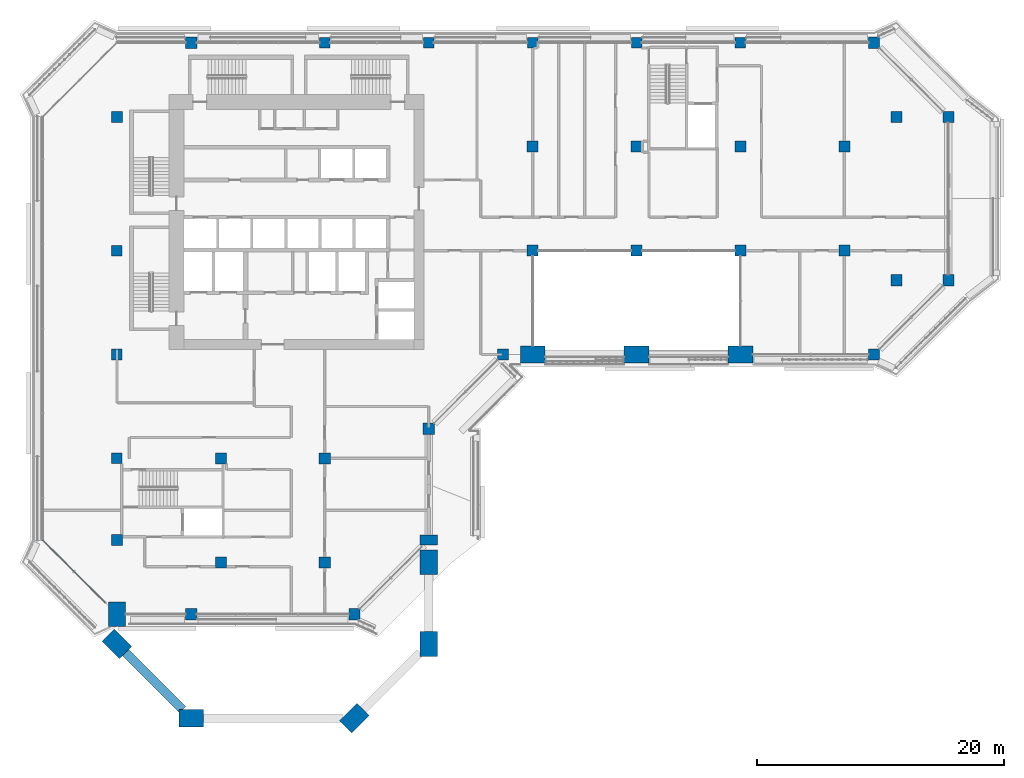
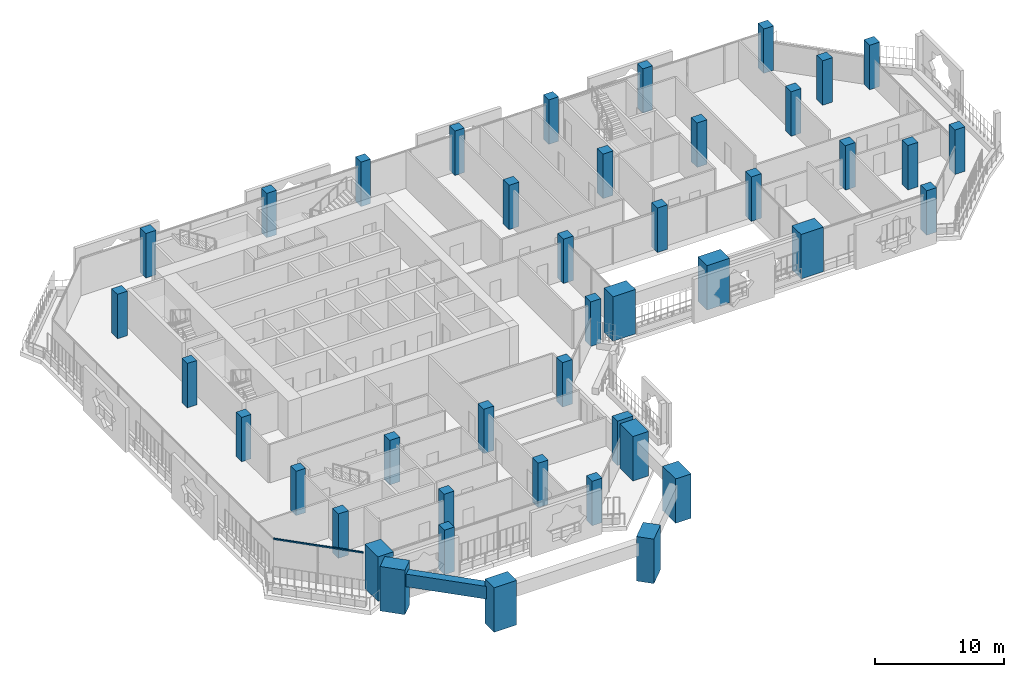
# One storey, part 1 of 23: 43 columns, 1 beam, 1 member, 1 element without a shape of its own.
"""IFC4 building model written with IfcOpenShell, lengths in metres."""

import ifcopenshell
import ifcopenshell.guid

model = None  # the IFC model being written
_history = None  # IfcOwnerHistory: only IFC2X3 demands one
_inside = {}  # id of a spatial element -> (the spatial element, [elements in it])
_under = {}  # id of a project, library or spatial element -> (it, [spatial elements below it])
_declared = {}  # id of a project -> (the project, [libraries it declares])
_typed = {}  # id of a type object -> (the type object, [elements of that type])
_made_of = {}  # id of a material, layer set ... -> (it, [elements and type objects made of it])


def new_model(schema):
    """Start an empty IFC model of exactly this schema.

    Asked for "IFC4X3", IfcOpenShell would pick the latest addendum, in which some entities
    have other attributes; the version numbers below select the first issue.
    IFC2X3 requires an IfcOwnerHistory on every rooted entity: one is made here for all.
    """
    global model, _history
    if schema == "IFC4X3":
        model = ifcopenshell.file(schema_version=(4, 3, 0, 0))
    else:
        model = ifcopenshell.file(schema=schema)
    _inside.clear()
    _under.clear()
    _declared.clear()
    _typed.clear()
    _made_of.clear()
    _history = None
    if model.schema == "IFC2X3":
        org = make("IfcOrganization", Name="unknown")
        user = make(
            "IfcPersonAndOrganization",
            ThePerson=make("IfcPerson", FamilyName="unknown"),
            TheOrganization=org,
        )
        app = make(
            "IfcApplication",
            ApplicationDeveloper=org,
            Version="unknown",
            ApplicationFullName="unknown",
            ApplicationIdentifier="unknown",
        )
        _history = make(
            "IfcOwnerHistory",
            OwningUser=user,
            OwningApplication=app,
            ChangeAction="ADDED",
            CreationDate=0,
        )
    return model


def make(cls, **values):
    """One entity of the class cls with the attributes given. An attribute that is None is left unset."""
    return model.create_entity(
        cls, **{name: value for name, value in values.items() if value is not None}
    )


def rooted(cls, **values):
    """An entity with a GlobalId (a new one), such as an element, a storey or a relation."""
    return make(cls, GlobalId=ifcopenshell.guid.new(), OwnerHistory=_history, **values)


def si_unit(unit_type, name, prefix=None):
    """IfcSIUnit, for example si_unit("LENGTHUNIT", "METRE", prefix="MILLI")."""
    return make("IfcSIUnit", UnitType=unit_type, Prefix=prefix, Name=name)


def assignment(units):
    """IfcUnitAssignment: the units of a project."""
    return None if units is None else make("IfcUnitAssignment", Units=units)


def point(xyz):
    """IfcCartesianPoint."""
    return None if xyz is None else make("IfcCartesianPoint", Coordinates=xyz)


def direction(xyz):
    """IfcDirection."""
    return None if xyz is None else make("IfcDirection", DirectionRatios=xyz)


def frame(location, z_axis=None, x_axis=None):
    """IfcAxis2Placement3D, a coordinate frame: its origin and axes. An axis left out is left unset."""
    return make(
        "IfcAxis2Placement3D",
        Location=point(location),
        Axis=direction(z_axis),
        RefDirection=direction(x_axis),
    )


def frame_2d(location, x_axis=None):
    """IfcAxis2Placement2D, a coordinate frame in the plane: its origin and x axis."""
    return make(
        "IfcAxis2Placement2D", Location=point(location), RefDirection=direction(x_axis)
    )


def origin():
    """The frame at (0, 0, 0) with its axes left unset."""
    return frame((0.0, 0.0, 0.0))


def origin_2d():
    """The frame at (0, 0) in the plane with its x axis left unset."""
    return frame_2d((0.0, 0.0))


def place(relative_to, where):
    """IfcLocalPlacement: puts the frame where relative to a parent placement (None: the world)."""
    return make(
        "IfcLocalPlacement", PlacementRelTo=relative_to, RelativePlacement=where
    )


def context(
    kind, dimensions, precision=None, world=None, true_north=None, identifier=None
):
    """IfcGeometricRepresentationContext, for example the 3D "Model" context."""
    return make(
        "IfcGeometricRepresentationContext",
        ContextIdentifier=identifier,
        ContextType=kind,
        CoordinateSpaceDimension=dimensions,
        Precision=precision,
        WorldCoordinateSystem=world,
        TrueNorth=true_north,
    )


def subcontext(parent, identifier, kind, view, scale=None):
    """IfcGeometricRepresentationSubContext, for example "Body" below "Model"."""
    return make(
        "IfcGeometricRepresentationSubContext",
        ContextIdentifier=identifier,
        ContextType=kind,
        ParentContext=parent,
        TargetScale=scale,
        TargetView=view,
    )


def project(units=None, contexts=None):
    """IfcProject with its units and contexts."""
    return rooted(
        "IfcProject",
        Name="project",
        RepresentationContexts=contexts,
        UnitsInContext=assignment(units),
    )


def spatial(cls, under=None, at=None, **own):
    """A site, building, storey or space (cls), placed at a placement, below another one or the project."""
    s = rooted(cls, ObjectPlacement=at, **own)
    if under is not None:
        _under.setdefault(under.id(), (under, []))[1].append(s)
    return s


def profile(cls, at=None, kind="AREA", **sizes):
    """A parametric profile (cls). Its sizes go by their IFC names, for example OverallWidth=200.0."""
    return make(cls, ProfileType=kind, Position=at, **sizes)


def rectangle(**sizes):
    """IfcRectangleProfileDef."""
    return profile("IfcRectangleProfileDef", **sizes)


def extrude(swept, where, along, depth):
    """IfcExtrudedAreaSolid: the profile swept, set in the frame where, extruded along a direction by depth."""
    return make(
        "IfcExtrudedAreaSolid",
        SweptArea=swept,
        Position=where,
        ExtrudedDirection=direction(along),
        Depth=depth,
    )


def shape(context_of_items, identifier, shape_type, items):
    """IfcShapeRepresentation: the items that make up one representation, for example the "Body"."""
    return make(
        "IfcShapeRepresentation",
        ContextOfItems=context_of_items,
        RepresentationIdentifier=identifier,
        RepresentationType=shape_type,
        Items=items,
    )


def material(Name=None, Category=None):
    """IfcMaterial."""
    return make("IfcMaterial", Name=Name, Category=Category)


def layer(
    of_material, thickness, ventilated=None, Name=None, Category=None, Priority=None
):
    """IfcMaterialLayer: one layer of a wall or slab, of a material (None: an air gap)."""
    return make(
        "IfcMaterialLayer",
        Material=of_material,
        LayerThickness=thickness,
        IsVentilated=ventilated,
        Name=Name,
        Category=Category,
        Priority=Priority,
    )


def layer_set(layers, Name=None):
    """IfcMaterialLayerSet."""
    return make("IfcMaterialLayerSet", MaterialLayers=layers, LayerSetName=Name)


def material_profile(
    of_material, cross_section, Name=None, Category=None, Priority=None
):
    """IfcMaterialProfile: a cross section and its material."""
    return make(
        "IfcMaterialProfile",
        Name=Name,
        Material=of_material,
        Profile=cross_section,
        Priority=Priority,
        Category=Category,
    )


def profile_set(profiles, Name=None, composite=None):
    """IfcMaterialProfileSet."""
    return make(
        "IfcMaterialProfileSet",
        Name=Name,
        MaterialProfiles=profiles,
        CompositeProfile=composite,
    )


def made_of(thing, what):
    """Note that an element or type object is made of a material, layer set ...; save() writes the relation."""
    if what is not None:
        _made_of.setdefault(what.id(), (what, []))[1].append(thing)
    return thing


def type_object(cls, material=None, **own):
    """A type object (cls), such as IfcWallType, which elements share."""
    return made_of(rooted(cls, **own), material)


def element(
    cls,
    number,
    at=None,
    inside=None,
    cuts=None,
    type_object=None,
    material=None,
    context=None,
    identifier="Body",
    shape_type=None,
    held_by="IfcProductDefinitionShape",
    body=None,
    shapes=None,
    **own,
):
    """One element of the class cls, such as IfcWall. Its Tag is "e" and its number.

    at: its placement. inside: the storey or other place that contains it. cuts: it is an
    opening in that element (IfcRelVoidsElement). A single representation is given by context,
    identifier, shape_type and body (its items); several are given by shapes. held_by: the class
    of the entity that holds the representations. save() writes the other relations.
    """
    e = rooted(cls, Tag="e%d" % number, ObjectPlacement=at, **own)
    if body is not None:
        shapes = [shape(context, identifier, shape_type, body)]
    if shapes is not None:
        e.Representation = make(held_by, Representations=shapes)
    if inside is not None:
        _inside.setdefault(inside.id(), (inside, []))[1].append(e)
    if cuts is not None:
        rooted(
            "IfcRelVoidsElement", RelatingBuildingElement=cuts, RelatedOpeningElement=e
        )
    if type_object is not None:
        _typed.setdefault(type_object.id(), (type_object, []))[1].append(e)
    return made_of(e, material)


def aggregate(whole, parts):
    """IfcRelAggregates: a whole, such as a stair, and the parts it consists of."""
    return rooted("IfcRelAggregates", RelatingObject=whole, RelatedObjects=parts)


def save(model, path):
    """Write the relations noted so far, then the file.

    IfcRelAggregates (storeys below a building ...), IfcRelContainedInSpatialStructure (elements
    in a storey), IfcRelDefinesByType, IfcRelAssociatesMaterial and IfcRelDeclares: one each for
    every whole, place, type object, material and project.
    """
    for whole, parts in _under.values():
        aggregate(whole, parts)
    for where, things in _inside.values():
        rooted(
            "IfcRelContainedInSpatialStructure",
            RelatedElements=things,
            RelatingStructure=where,
        )
    for kind, things in _typed.values():
        rooted("IfcRelDefinesByType", RelatedObjects=things, RelatingType=kind)
    for what, things in _made_of.values():
        rooted("IfcRelAssociatesMaterial", RelatedObjects=things, RelatingMaterial=what)
    for by, libraries in _declared.values():
        rooted("IfcRelDeclares", RelatingContext=by, RelatedDefinitions=libraries)
    model.write(path)


model = new_model("IFC4")

# Units and contexts
model_context = context("Model", 3, precision=1e-05, world=origin(), true_north=direction((0.0, 1.0)))
body_context = subcontext(model_context, "Body", "Model", "MODEL_VIEW")
ifc_project = project(units=[si_unit("LENGTHUNIT", "METRE"), si_unit("AREAUNIT", "SQUARE_METRE"), si_unit("VOLUMEUNIT", "CUBIC_METRE"), si_unit("PLANEANGLEUNIT", "RADIAN"), si_unit("MASSUNIT", "GRAM", prefix="KILO")], contexts=[model_context])

# Site, building, storey
site_placement = place(None, origin())
site = spatial("IfcSite", under=ifc_project, at=site_placement, CompositionType="ELEMENT")
building_placement = place(site_placement, origin())
building = spatial("IfcBuilding", under=site, at=building_placement, Name="Kawkab Arch Medical Tower", CompositionType="ELEMENT")
storey_placement = place(building_placement, frame((0.0, 0.0, 222.199951171875)))
storey = spatial("IfcBuildingStorey", under=building, at=storey_placement, Name="L51", CompositionType="ELEMENT", Elevation=222.199951171875)

# Columns
ifc_material_1 = material(Name="Concrete C45/55", Category="concrete")
ifc_material_profile_1 = material_profile(ifc_material_1, rectangle(XDim=2.0, YDim=1.39990234375, at=origin_2d()), Name="RC 2000x1400")
ifc_profile_set_1 = profile_set([ifc_material_profile_1], Name="Concrete C45/55")
column_type_1 = type_object("IfcColumnType", Name="RC 2000x1400 column C45/55", PredefinedType="COLUMN", material=ifc_profile_set_1)
for number, where, z_axis, x_axis, name in (
    (1, (42.0, -25.199951171875, 0.0), (0.0, 0.0, 1.0), (-1.0, 0.0, 0.0), "Column RC 2000x1400"),
    (2, (50.39990234375, -25.199951171875, 0.0), (0.0, 0.0, 1.0), (-1.0, 0.0, 0.0), "Column RC 2000x1400"),
    (3, (25.199951171875, -42.0, 0.0), (0.0, 0.0, 1.0), (0.0, -1.0, 0.0), "Column RC 2000x1400"),
    (4, (25.199951171875, -48.60009765625, 0.0), (0.0, 0.0, 1.0), (0.0, -1.0, 0.0), "Column RC 2000x1400"),
    (5, (19.199951171875, -54.60009765625, 0.0), (0.0, 0.0, 1.0), (-0.707106781187, -0.707106781187, 0.0), "Column RC 2000x1400"),
    (6, (6.0, -54.60009765625, 0.0), (0.0, 0.0, 1.0), (-1.0, 0.0, 0.0), "Column RC 2000x1400"),
    (7, (0.0, -48.60009765625, 0.0), (0.0, 0.0, 1.0), (-0.707106781187, 0.707106781187, 0.0), "Column RC 2000x1400"),
    (8, (0.0, -46.199951171875, 0.0), (0.0, 0.0, 1.0), (0.0, 1.0, 0.0), "Column RC 2000x1400"),
    (9, (33.60009765625, -25.199951171875, 0.0), (0.0, 0.0, 1.0), (-1.0, 0.0, 0.0), "Column RC 2000x1400"),
):
    element("IfcColumn", number, at=place(storey_placement, frame(where, z_axis=z_axis, x_axis=x_axis)), inside=storey, type_object=column_type_1, Name=name, PredefinedType="COLUMN", context=body_context, shape_type="SweptSolid", body=[
        extrude(rectangle(XDim=2.0, YDim=1.39990234375, at=origin_2d()), origin(), (0.0, 0.0, 1.0), 4.199951171875),
    ])
ifc_material_2 = material(Name="Concrete C45/55", Category="concrete")
ifc_material_profile_2 = material_profile(ifc_material_2, rectangle(XDim=0.800048828125, YDim=1.39990234375, at=origin_2d()), Name="RC 800x1400")
ifc_profile_set_2 = profile_set([ifc_material_profile_2], Name="Concrete C45/55")
column_type_2 = type_object("IfcColumnType", Name="RC 800x1400 column C45/55", PredefinedType="COLUMN", material=ifc_profile_set_2)
column_placement = place(storey_placement, frame((25.199951171875, -40.199951171875, 0.0), z_axis=(0.0, 0.0, 1.0), x_axis=(0.0, -1.0, 0.0)))
element("IfcColumn", 10, at=column_placement, inside=storey, type_object=column_type_2, Name="Column RC 800x1400", PredefinedType="COLUMN", context=body_context, shape_type="SweptSolid", body=[
    extrude(rectangle(XDim=0.800048828125, YDim=1.39990234375, at=origin_2d()), origin(), (0.0, 0.0, 1.0), 4.199951171875),
])
ifc_material_3 = material(Name="Concrete C45/55", Category="concrete")
ifc_material_profile_3 = material_profile(ifc_material_3, rectangle(XDim=0.85009765625, YDim=0.85009765625, at=origin_2d()), Name="RC 850x850")
ifc_profile_set_3 = profile_set([ifc_material_profile_3], Name="Concrete C45/55")
column_type_3 = type_object("IfcColumnType", Name="RC 850x850 column C45/55", PredefinedType="COLUMN", material=ifc_profile_set_3)
for number, where, z_axis, x_axis, name in (
    (11, (16.800048828125, 0.0, 0.0), (0.0, 0.0, 1.0), (1.0, 0.0, 0.0), "Column RC 850x850"),
    (12, (25.199951171875, 0.0, 0.0), (0.0, 0.0, 1.0), (1.0, 0.0, 0.0), "Column RC 850x850"),
    (13, (33.60009765625, 0.0, 0.0), (0.0, 0.0, 1.0), (1.0, 0.0, 0.0), "Column RC 850x850"),
    (14, (42.0, 0.0, 0.0), (0.0, 0.0, 1.0), (1.0, 0.0, 0.0), "Column RC 850x850"),
    (15, (50.39990234375, 0.0, 0.0), (0.0, 0.0, 1.0), (1.0, 0.0, 0.0), "Column RC 850x850"),
    (16, (0.0, -16.800048828125, 0.0), (0.0, 0.0, 1.0), (1.0, 0.0, 0.0), "Column RC 850x850"),
    (17, (0.0, -25.199951171875, 0.0), (0.0, 0.0, 1.0), (1.0, 0.0, 0.0), "Column RC 850x850"),
    (18, (0.0, -33.60009765625, 0.0), (0.0, 0.0, 1.0), (1.0, 0.0, 0.0), "Column RC 850x850"),
):
    element("IfcColumn", number, at=place(storey_placement, frame(where, z_axis=z_axis, x_axis=x_axis)), inside=storey, type_object=column_type_3, Name=name, PredefinedType="COLUMN", context=body_context, shape_type="SweptSolid", body=[
        extrude(rectangle(XDim=0.85009765625, YDim=0.85009765625, at=origin_2d()), origin(), (0.0, 0.0, 1.0), 4.199951171875),
    ])
ifc_material_4 = material(Name="Concrete C45/55", Category="concrete")
ifc_material_profile_4 = material_profile(ifc_material_4, rectangle(XDim=0.89990234375, YDim=0.89990234375, at=origin_2d()), Name="RC 900x900")
ifc_profile_set_4 = profile_set([ifc_material_profile_4], Name="Concrete C45/55")
column_type_4 = type_object("IfcColumnType", Name="RC 900x900 column C45/55", PredefinedType="COLUMN", material=ifc_profile_set_4)
for number, where, z_axis, x_axis, name in (
    (19, (6.0, 0.0, 0.0), (0.0, 0.0, 1.0), (1.0, 0.0, 0.0), "Column RC 900x900"),
    (20, (61.199951171875, 0.0, 0.0), (0.0, 0.0, 1.0), (1.0, 0.0, 0.0), "Column RC 900x900"),
    (21, (0.0, -6.0, 0.0), (0.0, 0.0, 1.0), (1.0, 0.0, 0.0), "Column RC 900x900"),
    (22, (63.0, -6.0, 0.0), (0.0, 0.0, 1.0), (1.0, 0.0, 0.0), "Column RC 900x900"),
    (23, (67.199951171875, -6.0, 0.0), (0.0, 0.0, 1.0), (1.0, 0.0, 0.0), "Column RC 900x900"),
    (24, (33.60009765625, -8.39990234375, 0.0), (0.0, 0.0, 1.0), (1.0, 0.0, 0.0), "Column RC 900x900"),
    (25, (42.0, -8.39990234375, 0.0), (0.0, 0.0, 1.0), (1.0, 0.0, 0.0), "Column RC 900x900"),
    (26, (50.39990234375, -8.39990234375, 0.0), (0.0, 0.0, 1.0), (1.0, 0.0, 0.0), "Column RC 900x900"),
    (27, (58.800048828125, -8.39990234375, 0.0), (0.0, 0.0, 1.0), (1.0, 0.0, 0.0), "Column RC 900x900"),
    (28, (33.60009765625, -16.800048828125, 0.0), (0.0, 0.0, 1.0), (1.0, 0.0, 0.0), "Column RC 900x900"),
    (29, (42.0, -16.800048828125, 0.0), (0.0, 0.0, 1.0), (1.0, 0.0, 0.0), "Column RC 900x900"),
    (30, (50.39990234375, -16.800048828125, 0.0), (0.0, 0.0, 1.0), (1.0, 0.0, 0.0), "Column RC 900x900"),
    (31, (58.800048828125, -16.800048828125, 0.0), (0.0, 0.0, 1.0), (1.0, 0.0, 0.0), "Column RC 900x900"),
    (32, (63.0, -19.199951171875, 0.0), (0.0, 0.0, 1.0), (1.0, 0.0, 0.0), "Column RC 900x900"),
    (33, (67.199951171875, -19.199951171875, 0.0), (0.0, 0.0, 1.0), (1.0, 0.0, 0.0), "Column RC 900x900"),
    (34, (31.199951171875, -25.199951171875, 0.0), (0.0, 0.0, 1.0), (1.0, 0.0, 0.0), "Column RC 900x900"),
    (35, (61.199951171875, -25.199951171875, 0.0), (0.0, 0.0, 1.0), (1.0, 0.0, 0.0), "Column RC 900x900"),
    (36, (25.199951171875, -31.199951171875, 0.0), (0.0, 0.0, 1.0), (1.0, 0.0, 0.0), "Column RC 900x900"),
    (37, (8.39990234375, -33.60009765625, 0.0), (0.0, 0.0, 1.0), (1.0, 0.0, 0.0), "Column RC 900x900"),
    (38, (16.800048828125, -33.60009765625, 0.0), (0.0, 0.0, 1.0), (1.0, 0.0, 0.0), "Column RC 900x900"),
    (39, (0.0, -40.199951171875, 0.0), (0.0, 0.0, 1.0), (1.0, 0.0, 0.0), "Column RC 900x900"),
    (40, (8.39990234375, -42.0, 0.0), (0.0, 0.0, 1.0), (1.0, 0.0, 0.0), "Column RC 900x900"),
    (41, (16.800048828125, -42.0, 0.0), (0.0, 0.0, 1.0), (1.0, 0.0, 0.0), "Column RC 900x900"),
    (42, (6.0, -46.199951171875, 0.0), (0.0, 0.0, 1.0), (1.0, 0.0, 0.0), "Column RC 900x900"),
    (43, (19.199951171875, -46.199951171875, 0.0), (0.0, 0.0, 1.0), (1.0, 0.0, 0.0), "Column RC 900x900"),
):
    element("IfcColumn", number, at=place(storey_placement, frame(where, z_axis=z_axis, x_axis=x_axis)), inside=storey, type_object=column_type_4, Name=name, PredefinedType="COLUMN", context=body_context, shape_type="SweptSolid", body=[
        extrude(rectangle(XDim=0.89990234375, YDim=0.89990234375, at=origin_2d()), origin(), (0.0, 0.0, 1.0), 4.199951171875),
    ])

# Curtain wall, member
ifc_material_5 = material(Name="Bronze anodised aluminium curtain wall frame", Category="aluminium")
ifc_layer = layer(ifc_material_5, 0.159912109375)
ifc_layer_set = layer_set([ifc_layer], Name="Bronze anodised aluminium curtain wall frame")
curtain_wall_type = type_object("IfcCurtainWallType", Name="CW2 chamfer curtain wall", PredefinedType="NOTDEFINED", material=ifc_layer_set)
curtain_wall_placement = place(storey_placement, origin())
curtain_wall = element("IfcCurtainWall", 44, at=curtain_wall_placement, inside=storey, type_object=curtain_wall_type, Name="CW2 Chamfer curtain wall R12", PredefinedType="NOTDEFINED")
ifc_material_6 = material(Name="Bronze anodised aluminium curtain wall frame", Category="aluminium")
ifc_material_profile_5 = material_profile(ifc_material_6, rectangle(XDim=0.06005859375, YDim=0.139892578125, at=origin_2d()), Name="AL 60x140")
ifc_profile_set_5 = profile_set([ifc_material_profile_5], Name="Bronze anodised aluminium curtain wall frame")
member_type = type_object("IfcMemberType", Name="CW2 transom 140 x 60", PredefinedType="USERDEFINED", material=ifc_profile_set_5)
member_placement = place(storey_placement, frame((-6.0, -40.199951171875, 3.530029296875), z_axis=(0.707089754982, -0.707123806981, 0.0), x_axis=(0.707123806981, 0.707089754982, 0.0)))
member = element("IfcMember", 45, at=member_placement, type_object=member_type, Name="CW2 transom 1", ObjectType="TRANSOM", PredefinedType="USERDEFINED", context=body_context, shape_type="SweptSolid", body=[
    extrude(rectangle(XDim=0.06005859375, YDim=0.139892578125, at=origin_2d()), origin(), (0.0, 0.0, 1.0), 7.169677734375),
])
aggregate(curtain_wall, [member])

# Beam
ifc_material_7 = material(Name="Concrete C45/55", Category="concrete")
ifc_material_profile_6 = material_profile(ifc_material_7, rectangle(XDim=0.699951171875, YDim=1.199951171875, at=origin_2d()), Name="RC 700x1200")
ifc_profile_set_6 = profile_set([ifc_material_profile_6], Name="Concrete C45/55")
beam_type = type_object("IfcBeamType", Name="RC 700x1200 beam C45/55", PredefinedType="BEAM", material=ifc_profile_set_6)
beam_placement = place(storey_placement, frame((5.300048828125, -53.89990234375, 3.0), z_axis=(-0.707125574473, 0.707087987401, 0.0), x_axis=(-0.707087987401, -0.707125574473, 0.0)))
element("IfcBeam", 46, at=beam_placement, inside=storey, type_object=beam_type, Name="Terrace frame beam TF-L50-1-L52-05", PredefinedType="BEAM", context=body_context, shape_type="SweptSolid", body=[
    extrude(rectangle(XDim=0.699951171875, YDim=1.199951171875, at=origin_2d()), origin(), (0.0, 0.0, 1.0), 6.495361328125),
])

save(model, "model.ifc")
